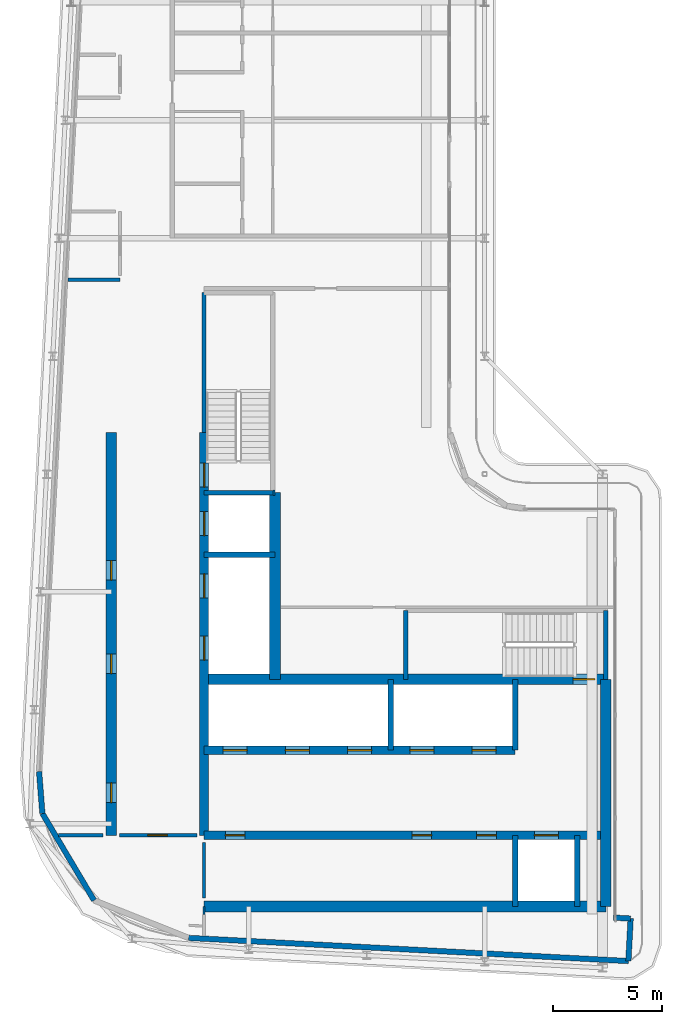
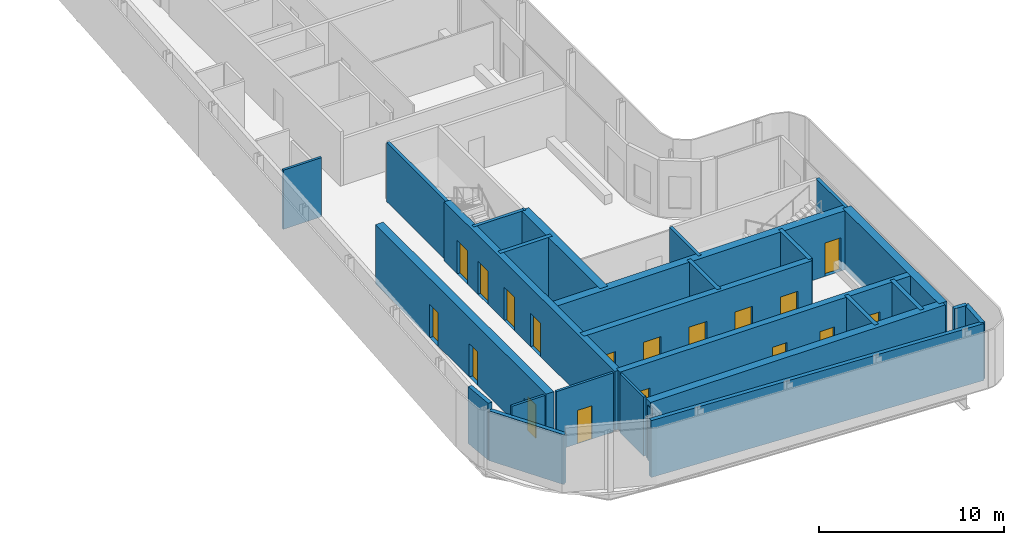
# One storey, part 9 of 19: 28 walls, 18 doors, 18 openings.
"""IFC4 building model written with IfcOpenShell, lengths in metres."""

from ifc_helpers import new_model, si_unit, direction, frame, frame_2d, origin, place, context, subcontext, project, spatial, rectangle, extrude, source, transform, mapped, material, layer, layer_set, type_object, element, fill, save


model = new_model("IFC4")

# Units and contexts
model_context = context("Model", 3, precision=1e-05, world=origin(), true_north=direction((0.0, 1.0)))
body_context = subcontext(model_context, "Body", "Model", "MODEL_VIEW")
ifc_project = project(units=[si_unit("LENGTHUNIT", "METRE"), si_unit("AREAUNIT", "SQUARE_METRE"), si_unit("VOLUMEUNIT", "CUBIC_METRE"), si_unit("PLANEANGLEUNIT", "RADIAN"), si_unit("MASSUNIT", "GRAM", prefix="KILO")], contexts=[model_context])

# Site, building, storey
site_placement = place(None, origin())
site = spatial("IfcSite", under=ifc_project, at=site_placement, CompositionType="ELEMENT")
building_placement = place(site_placement, origin())
building = spatial("IfcBuilding", under=site, at=building_placement, Name="Kheshtan School and Residences Tower", CompositionType="ELEMENT")
storey_placement = place(building_placement, frame((0.0, 0.0, 353.89990234375)))
storey = spatial("IfcBuildingStorey", under=building, at=storey_placement, Name="L83", CompositionType="ELEMENT", Elevation=353.89990234375)

# Wall, openings, doors
ifc_material_1 = material(Name="Concrete C50/60", Category="concrete")
ifc_layer_1 = layer(ifc_material_1, 0.39990234375)
ifc_layer_set_1 = layer_set([ifc_layer_1], Name="Core wall 400 Concrete C50/60")
wall_type_1 = type_object("IfcWallType", Name="Core wall 400 Concrete C50/60", PredefinedType="SHEAR", material=ifc_layer_set_1)
wall_1_placement = place(storey_placement, frame((34.75, 29.050048828125, 0.0), z_axis=(0.0, 0.0, 1.0), x_axis=(1.0, 0.0, 0.0)))
wall_1 = element("IfcWall", 1, at=wall_1_placement, inside=storey, type_object=wall_type_1, Name="Core wall CW-HALL-S1", PredefinedType="SHEAR", context=body_context, shape_type="SweptSolid", body=[
    extrude(rectangle(XDim=18.39990234375, YDim=0.39990234375, at=frame_2d((9.199951171875, 0.0))), origin(), (0.0, 0.0, 1.0), 3.900146484375),
])
opening_1_placement = place(wall_1_placement, frame((15.125, 0.0, 0.0)))
opening_1 = element("IfcOpeningElement", 2, at=opening_1_placement, cuts=wall_1, Name="Opening LD", PredefinedType="OPENING", context=body_context, shape_type="SweptSolid", body=[
    extrude(rectangle(XDim=1.10009765625, YDim=2.199951171875, at=frame_2d((0.550048828125, 1.10009765625))), frame((0.0, 0.2099609375, 0.0), z_axis=(0.0, -1.0, 0.0), x_axis=(1.0, 0.0, 0.0)), (0.0, 0.0, 1.0), 0.419921875),
])
opening_2_placement = place(wall_1_placement, frame((0.97509765625, 0.0, 0.0)))
opening_2 = element("IfcOpeningElement", 3, at=opening_2_placement, cuts=wall_1, Name="Opening SR90", PredefinedType="OPENING", context=body_context, shape_type="SweptSolid", body=[
    extrude(rectangle(XDim=0.89990234375, YDim=2.199951171875, at=frame_2d((0.449951171875, 1.10009765625))), frame((0.0, 0.2099609375, 0.0), z_axis=(0.0, -1.0, 0.0), x_axis=(1.0, 0.0, 0.0)), (0.0, 0.0, 1.0), 0.419921875),
])
opening_3_placement = place(wall_1_placement, frame((9.52490234375, 0.0, 0.0)))
opening_3 = element("IfcOpeningElement", 4, at=opening_3_placement, cuts=wall_1, Name="Opening SR90", PredefinedType="OPENING", context=body_context, shape_type="SweptSolid", body=[
    extrude(rectangle(XDim=0.89990234375, YDim=2.199951171875, at=frame_2d((0.449951171875, 1.10009765625))), frame((0.0, 0.2099609375, 0.0), z_axis=(0.0, -1.0, 0.0), x_axis=(1.0, 0.0, 0.0)), (0.0, 0.0, 1.0), 0.419921875),
])
opening_4_placement = place(wall_1_placement, frame((12.488037109375, 0.0, 0.0)))
opening_4 = element("IfcOpeningElement", 5, at=opening_4_placement, cuts=wall_1, Name="Opening SR90", PredefinedType="OPENING", context=body_context, shape_type="SweptSolid", body=[
    extrude(rectangle(XDim=0.89990234375, YDim=2.199951171875, at=frame_2d((0.449951171875, 1.10009765625))), frame((0.0, 0.2099609375, 0.0), z_axis=(0.0, -1.0, 0.0), x_axis=(1.0, 0.0, 0.0)), (0.0, 0.0, 1.0), 0.419921875),
])
ifc_material_2 = material(Name="Stainless steel door leaves", Category="steel")
door_type_1 = type_object("IfcDoorType", Name="Lift landing door 1100", OperationType="SLIDING_TO_LEFT", PredefinedType="DOOR", material=ifc_material_2)
shared_shape_1 = source(origin(), body_context, "Body", "SweptSolid", [
    extrude(rectangle(XDim=1.10009765625, YDim=2.199951171875, at=frame_2d((0.550048828125, 1.10009765625))), frame((0.0, 0.02490234375, 0.0), z_axis=(0.0, -1.0, 0.0), x_axis=(1.0, 0.0, 0.0)), (0.0, 0.0, 1.0), 0.050048828125),
])
door_1_placement = place(opening_1_placement, origin())
door_1 = element("IfcDoor", 6, at=door_1_placement, inside=storey, type_object=door_type_1, Name="Lift FFL2 landing door", OperationType="SLIDING_TO_LEFT", OverallHeight=2.199951171875, OverallWidth=1.10009765625, PredefinedType="DOOR", context=body_context, shape_type="MappedRepresentation", body=[
    mapped(shared_shape_1, transform((0.0, 0.0, 0.0), x_axis=(1.0, 0.0, 0.0), y_axis=(0.0, 1.0, 0.0), z_axis=(0.0, 0.0, 1.0), scale=1.0)),
])
fill(opening_1, door_1)
ifc_material_3 = material(Name="Steel door leaf, galvanised", Category="steel")
door_type_2 = type_object("IfcDoorType", Name="Service room door 900 steel 90 min", OperationType="SINGLE_SWING_LEFT", PredefinedType="DOOR", material=ifc_material_3)
shared_shape_2 = source(origin(), body_context, "Body", "SweptSolid", [
    extrude(rectangle(XDim=0.89990234375, YDim=2.199951171875, at=frame_2d((0.449951171875, 1.10009765625))), frame((0.0, 0.02490234375, 0.0), z_axis=(0.0, -1.0, 0.0), x_axis=(1.0, 0.0, 0.0)), (0.0, 0.0, 1.0), 0.050048828125),
])
door_2_placement = place(opening_2_placement, origin())
door_2 = element("IfcDoor", 7, at=door_2_placement, inside=storey, type_object=door_type_2, Name="Service room door", OperationType="SINGLE_SWING_LEFT", OverallHeight=2.199951171875, OverallWidth=0.89990234375, PredefinedType="DOOR", context=body_context, shape_type="MappedRepresentation", body=[
    mapped(shared_shape_2, transform((0.0, 0.0, 0.0), x_axis=(1.0, 0.0, 0.0), y_axis=(0.0, 1.0, 0.0), z_axis=(0.0, 0.0, 1.0), scale=1.0)),
])
fill(opening_2, door_2)
door_3_placement = place(opening_3_placement, origin())
door_3 = element("IfcDoor", 8, at=door_3_placement, inside=storey, type_object=door_type_2, Name="Service room door", OperationType="SINGLE_SWING_RIGHT", OverallHeight=2.199951171875, OverallWidth=0.89990234375, PredefinedType="DOOR", context=body_context, shape_type="MappedRepresentation", body=[
    mapped(shared_shape_2, transform((0.0, 0.0, 0.0), x_axis=(1.0, 0.0, 0.0), y_axis=(0.0, 1.0, 0.0), z_axis=(0.0, 0.0, 1.0), scale=1.0)),
])
fill(opening_3, door_3)
door_4_placement = place(opening_4_placement, origin())
door_4 = element("IfcDoor", 9, at=door_4_placement, inside=storey, type_object=door_type_2, Name="Service room door", OperationType="SINGLE_SWING_LEFT", OverallHeight=2.199951171875, OverallWidth=0.89990234375, PredefinedType="DOOR", context=body_context, shape_type="MappedRepresentation", body=[
    mapped(shared_shape_2, transform((0.0, 0.0, 0.0), x_axis=(1.0, 0.0, 0.0), y_axis=(0.0, 1.0, 0.0), z_axis=(0.0, 0.0, 1.0), scale=1.0)),
])
fill(opening_4, door_4)

wall_2_placement = place(storey_placement, frame((34.75, 32.949951171875, 0.0), z_axis=(0.0, 0.0, 1.0), x_axis=(1.0, 0.0, 0.0)))
wall_2 = element("IfcWall", 10, at=wall_2_placement, inside=storey, type_object=wall_type_1, Name="Core wall CW-HALL-S2", PredefinedType="SHEAR", context=body_context, shape_type="SweptSolid", body=[
    extrude(rectangle(XDim=14.25, YDim=0.39990234375, at=frame_2d((7.125, 0.0))), origin(), (0.0, 0.0, 1.0), 3.900146484375),
])
opening_5_placement = place(wall_2_placement, frame((0.875, 0.0, 0.0)))
opening_5 = element("IfcOpeningElement", 11, at=opening_5_placement, cuts=wall_2, Name="Opening LD", PredefinedType="OPENING", context=body_context, shape_type="SweptSolid", body=[
    extrude(rectangle(XDim=1.10009765625, YDim=2.199951171875, at=frame_2d((0.550048828125, 1.10009765625))), frame((0.0, 0.2099609375, 0.0), z_axis=(0.0, -1.0, 0.0), x_axis=(1.0, 0.0, 0.0)), (0.0, 0.0, 1.0), 0.419921875),
])
opening_6_placement = place(wall_2_placement, frame((3.72509765625, 0.0, 0.0)))
opening_6 = element("IfcOpeningElement", 12, at=opening_6_placement, cuts=wall_2, Name="Opening LD", PredefinedType="OPENING", context=body_context, shape_type="SweptSolid", body=[
    extrude(rectangle(XDim=1.10009765625, YDim=2.199951171875, at=frame_2d((0.550048828125, 1.10009765625))), frame((0.0, 0.2099609375, 0.0), z_axis=(0.0, -1.0, 0.0), x_axis=(1.0, 0.0, 0.0)), (0.0, 0.0, 1.0), 0.419921875),
])
opening_7_placement = place(wall_2_placement, frame((6.574951171875, 0.0, 0.0)))
opening_7 = element("IfcOpeningElement", 13, at=opening_7_placement, cuts=wall_2, Name="Opening LD", PredefinedType="OPENING", context=body_context, shape_type="SweptSolid", body=[
    extrude(rectangle(XDim=1.10009765625, YDim=2.199951171875, at=frame_2d((0.550048828125, 1.10009765625))), frame((0.0, 0.2099609375, 0.0), z_axis=(0.0, -1.0, 0.0), x_axis=(1.0, 0.0, 0.0)), (0.0, 0.0, 1.0), 0.419921875),
])
opening_8_placement = place(wall_2_placement, frame((9.425048828125, 0.0, 0.0)))
opening_8 = element("IfcOpeningElement", 14, at=opening_8_placement, cuts=wall_2, Name="Opening LD", PredefinedType="OPENING", context=body_context, shape_type="SweptSolid", body=[
    extrude(rectangle(XDim=1.10009765625, YDim=2.199951171875, at=frame_2d((0.550048828125, 1.10009765625))), frame((0.0, 0.2099609375, 0.0), z_axis=(0.0, -1.0, 0.0), x_axis=(1.0, 0.0, 0.0)), (0.0, 0.0, 1.0), 0.419921875),
])
opening_9_placement = place(wall_2_placement, frame((12.27490234375, 0.0, 0.0)))
opening_9 = element("IfcOpeningElement", 15, at=opening_9_placement, cuts=wall_2, Name="Opening LD", PredefinedType="OPENING", context=body_context, shape_type="SweptSolid", body=[
    extrude(rectangle(XDim=1.10009765625, YDim=2.199951171875, at=frame_2d((0.550048828125, 1.10009765625))), frame((0.0, 0.2099609375, 0.0), z_axis=(0.0, -1.0, 0.0), x_axis=(1.0, 0.0, 0.0)), (0.0, 0.0, 1.0), 0.419921875),
])
door_5_placement = place(opening_5_placement, origin())
door_5 = element("IfcDoor", 16, at=door_5_placement, inside=storey, type_object=door_type_1, Name="Lift P12 landing door", OperationType="SLIDING_TO_LEFT", OverallHeight=2.199951171875, OverallWidth=1.10009765625, PredefinedType="DOOR", context=body_context, shape_type="MappedRepresentation", body=[
    mapped(shared_shape_1, transform((0.0, 0.0, 0.0), x_axis=(1.0, 0.0, 0.0), y_axis=(0.0, 1.0, 0.0), z_axis=(0.0, 0.0, 1.0), scale=1.0)),
])
fill(opening_5, door_5)
door_6_placement = place(opening_6_placement, origin())
door_6 = element("IfcDoor", 17, at=door_6_placement, inside=storey, type_object=door_type_1, Name="Lift P13 landing door", OperationType="SLIDING_TO_LEFT", OverallHeight=2.199951171875, OverallWidth=1.10009765625, PredefinedType="DOOR", context=body_context, shape_type="MappedRepresentation", body=[
    mapped(shared_shape_1, transform((0.0, 0.0, 0.0), x_axis=(1.0, 0.0, 0.0), y_axis=(0.0, 1.0, 0.0), z_axis=(0.0, 0.0, 1.0), scale=1.0)),
])
fill(opening_6, door_6)
door_7_placement = place(opening_7_placement, origin())
door_7 = element("IfcDoor", 18, at=door_7_placement, inside=storey, type_object=door_type_1, Name="Lift P14 landing door", OperationType="SLIDING_TO_LEFT", OverallHeight=2.199951171875, OverallWidth=1.10009765625, PredefinedType="DOOR", context=body_context, shape_type="MappedRepresentation", body=[
    mapped(shared_shape_1, transform((0.0, 0.0, 0.0), x_axis=(1.0, 0.0, 0.0), y_axis=(0.0, 1.0, 0.0), z_axis=(0.0, 0.0, 1.0), scale=1.0)),
])
fill(opening_7, door_7)
door_8_placement = place(opening_8_placement, origin())
door_8 = element("IfcDoor", 19, at=door_8_placement, inside=storey, type_object=door_type_1, Name="Lift P15 landing door", OperationType="SLIDING_TO_LEFT", OverallHeight=2.199951171875, OverallWidth=1.10009765625, PredefinedType="DOOR", context=body_context, shape_type="MappedRepresentation", body=[
    mapped(shared_shape_1, transform((0.0, 0.0, 0.0), x_axis=(1.0, 0.0, 0.0), y_axis=(0.0, 1.0, 0.0), z_axis=(0.0, 0.0, 1.0), scale=1.0)),
])
fill(opening_8, door_8)
door_9_placement = place(opening_9_placement, origin())
door_9 = element("IfcDoor", 20, at=door_9_placement, inside=storey, type_object=door_type_1, Name="Lift P16 landing door", OperationType="SLIDING_TO_LEFT", OverallHeight=2.199951171875, OverallWidth=1.10009765625, PredefinedType="DOOR", context=body_context, shape_type="MappedRepresentation", body=[
    mapped(shared_shape_1, transform((0.0, 0.0, 0.0), x_axis=(1.0, 0.0, 0.0), y_axis=(0.0, 1.0, 0.0), z_axis=(0.0, 0.0, 1.0), scale=1.0)),
])
fill(opening_9, door_9)

wall_3_placement = place(storey_placement, frame((34.75, 29.050048828125, 0.0), z_axis=(0.0, 0.0, 1.0), x_axis=(0.0, 1.0, 0.0)))
wall_3 = element("IfcWall", 21, at=wall_3_placement, inside=storey, type_object=wall_type_1, Name="Core wall CW-HALL-W1", PredefinedType="SHEAR", context=body_context, shape_type="SweptSolid", body=[
    extrude(rectangle(XDim=18.449951171875, YDim=0.39990234375, at=frame_2d((9.22509765625, 0.0))), origin(), (0.0, 0.0, 1.0), 3.900146484375),
])
opening_10_placement = place(wall_3_placement, frame((8.02490234375, 0.0, 0.0)))
opening_10 = element("IfcOpeningElement", 22, at=opening_10_placement, cuts=wall_3, Name="Opening LD", PredefinedType="OPENING", context=body_context, shape_type="SweptSolid", body=[
    extrude(rectangle(XDim=1.10009765625, YDim=2.199951171875, at=frame_2d((0.550048828125, 1.10009765625))), frame((0.0, 0.2099609375, 0.0), z_axis=(0.0, -1.0, 0.0), x_axis=(1.0, 0.0, 0.0)), (0.0, 0.0, 1.0), 0.419921875),
])
opening_11_placement = place(wall_3_placement, frame((10.875, 0.0, 0.0)))
opening_11 = element("IfcOpeningElement", 23, at=opening_11_placement, cuts=wall_3, Name="Opening LD", PredefinedType="OPENING", context=body_context, shape_type="SweptSolid", body=[
    extrude(rectangle(XDim=1.10009765625, YDim=2.199951171875, at=frame_2d((0.550048828125, 1.10009765625))), frame((0.0, 0.2099609375, 0.0), z_axis=(0.0, -1.0, 0.0), x_axis=(1.0, 0.0, 0.0)), (0.0, 0.0, 1.0), 0.419921875),
])
opening_12_placement = place(wall_3_placement, frame((13.72509765625, 0.0, 0.0)))
opening_12 = element("IfcOpeningElement", 24, at=opening_12_placement, cuts=wall_3, Name="Opening LD", PredefinedType="OPENING", context=body_context, shape_type="SweptSolid", body=[
    extrude(rectangle(XDim=1.10009765625, YDim=2.199951171875, at=frame_2d((0.550048828125, 1.10009765625))), frame((0.0, 0.2099609375, 0.0), z_axis=(0.0, -1.0, 0.0), x_axis=(1.0, 0.0, 0.0)), (0.0, 0.0, 1.0), 0.419921875),
])
opening_13_placement = place(wall_3_placement, frame((15.949951171875, 0.0, 0.0)))
opening_13 = element("IfcOpeningElement", 25, at=opening_13_placement, cuts=wall_3, Name="Opening ST2D", PredefinedType="OPENING", context=body_context, shape_type="SweptSolid", body=[
    extrude(rectangle(XDim=1.10009765625, YDim=2.199951171875, at=frame_2d((0.550048828125, 1.10009765625))), frame((0.0, 0.2099609375, 0.0), z_axis=(0.0, -1.0, 0.0), x_axis=(1.0, 0.0, 0.0)), (0.0, 0.0, 1.0), 0.419921875),
])
door_10_placement = place(opening_10_placement, origin())
door_10 = element("IfcDoor", 26, at=door_10_placement, inside=storey, type_object=door_type_1, Name="Lift SV1 landing door", OperationType="SLIDING_TO_LEFT", OverallHeight=2.199951171875, OverallWidth=1.10009765625, PredefinedType="DOOR", context=body_context, shape_type="MappedRepresentation", body=[
    mapped(shared_shape_1, transform((0.0, 0.0, 0.0), x_axis=(1.0, 0.0, 0.0), y_axis=(0.0, 1.0, 0.0), z_axis=(0.0, 0.0, 1.0), scale=1.0)),
])
fill(opening_10, door_10)
door_11_placement = place(opening_11_placement, origin())
door_11 = element("IfcDoor", 27, at=door_11_placement, inside=storey, type_object=door_type_1, Name="Lift SV2 landing door", OperationType="SLIDING_TO_LEFT", OverallHeight=2.199951171875, OverallWidth=1.10009765625, PredefinedType="DOOR", context=body_context, shape_type="MappedRepresentation", body=[
    mapped(shared_shape_1, transform((0.0, 0.0, 0.0), x_axis=(1.0, 0.0, 0.0), y_axis=(0.0, 1.0, 0.0), z_axis=(0.0, 0.0, 1.0), scale=1.0)),
])
fill(opening_11, door_11)
door_12_placement = place(opening_12_placement, origin())
door_12 = element("IfcDoor", 28, at=door_12_placement, inside=storey, type_object=door_type_1, Name="Lift FFL1 landing door", OperationType="SLIDING_TO_LEFT", OverallHeight=2.199951171875, OverallWidth=1.10009765625, PredefinedType="DOOR", context=body_context, shape_type="MappedRepresentation", body=[
    mapped(shared_shape_1, transform((0.0, 0.0, 0.0), x_axis=(1.0, 0.0, 0.0), y_axis=(0.0, 1.0, 0.0), z_axis=(0.0, 0.0, 1.0), scale=1.0)),
])
fill(opening_12, door_12)
door_type_3 = type_object("IfcDoorType", Name="Stair door 1100 steel 90 min", OperationType="SINGLE_SWING_LEFT", PredefinedType="DOOR", material=ifc_material_3)
shared_shape_3 = source(origin(), body_context, "Body", "SweptSolid", [
    extrude(rectangle(XDim=1.10009765625, YDim=2.199951171875, at=frame_2d((0.550048828125, 1.10009765625))), frame((0.0, 0.02490234375, 0.0), z_axis=(0.0, -1.0, 0.0), x_axis=(1.0, 0.0, 0.0)), (0.0, 0.0, 1.0), 0.050048828125),
])
door_13_placement = place(opening_13_placement, origin())
door_13 = element("IfcDoor", 29, at=door_13_placement, inside=storey, type_object=door_type_3, Name="Stair ST2 door", OperationType="SINGLE_SWING_RIGHT", OverallHeight=2.199951171875, OverallWidth=1.10009765625, PredefinedType="DOOR", context=body_context, shape_type="MappedRepresentation", body=[
    mapped(shared_shape_3, transform((0.0, 0.0, 0.0), x_axis=(1.0, 0.0, 0.0), y_axis=(0.0, 1.0, 0.0), z_axis=(0.0, 0.0, 1.0), scale=1.0)),
])
fill(opening_13, door_13)

# Wall
ifc_layer_2 = layer(ifc_material_1, 0.5)
ifc_layer_set_2 = layer_set([ifc_layer_2], Name="Core wall 500 Concrete C50/60")
wall_type_2 = type_object("IfcWallType", Name="Core wall 500 Concrete C50/60", PredefinedType="SHEAR", material=ifc_layer_set_2)
wall_4_placement = place(storey_placement, frame((34.75, 25.800048828125, 0.0), z_axis=(0.0, 0.0, 1.0), x_axis=(1.0, 0.0, 0.0)))
element("IfcWall", 30, at=wall_4_placement, inside=storey, type_object=wall_type_2, Name="Core wall CW-REAR-S", PredefinedType="SHEAR", context=body_context, shape_type="SweptSolid", body=[
    extrude(rectangle(XDim=18.39990234375, YDim=0.5, at=frame_2d((9.199951171875, 0.0))), origin(), (0.0, 0.0, 1.0), 3.900146484375),
])

# Wall, opening, door
wall_5_placement = place(storey_placement, frame((34.75, 36.199951171875, 0.0), z_axis=(0.0, 0.0, 1.0), x_axis=(1.0, 0.0, 0.0)))
wall_5 = element("IfcWall", 31, at=wall_5_placement, inside=storey, type_object=wall_type_2, Name="Core wall CW-FRONT-S", PredefinedType="SHEAR", context=body_context, shape_type="SweptSolid", body=[
    extrude(rectangle(XDim=18.39990234375, YDim=0.5, at=frame_2d((9.199951171875, 0.0))), origin(), (0.0, 0.0, 1.0), 3.900146484375),
])
opening_14_placement = place(wall_5_placement, frame((16.89990234375, 0.0, 0.0)))
opening_14 = element("IfcOpeningElement", 32, at=opening_14_placement, cuts=wall_5, Name="Opening ST1D", PredefinedType="OPENING", context=body_context, shape_type="SweptSolid", body=[
    extrude(rectangle(XDim=1.0, YDim=2.199951171875, at=frame_2d((0.5, 1.10009765625))), frame((0.0, 0.260009765625, 0.0), z_axis=(0.0, -1.0, 0.0), x_axis=(1.0, 0.0, 0.0)), (0.0, 0.0, 1.0), 0.52001953125),
])
shared_shape_4 = source(origin(), body_context, "Body", "SweptSolid", [
    extrude(rectangle(XDim=1.0, YDim=2.199951171875, at=frame_2d((0.5, 1.10009765625))), frame((0.0, 0.02490234375, 0.0), z_axis=(0.0, -1.0, 0.0), x_axis=(1.0, 0.0, 0.0)), (0.0, 0.0, 1.0), 0.050048828125),
])
door_14_placement = place(opening_14_placement, origin())
door_14 = element("IfcDoor", 33, at=door_14_placement, inside=storey, type_object=door_type_3, Name="Stair ST1 door", OperationType="SINGLE_SWING_RIGHT", OverallHeight=2.199951171875, OverallWidth=1.0, PredefinedType="DOOR", context=body_context, shape_type="MappedRepresentation", body=[
    mapped(shared_shape_4, transform((0.0, 0.0, 0.0), x_axis=(1.0, 0.0, 0.0), y_axis=(0.0, 1.0, 0.0), z_axis=(0.0, 0.0, 1.0), scale=1.0)),
])
fill(opening_14, door_14)

# Wall
wall_6_placement = place(storey_placement, frame((38.0, 36.199951171875, 0.0), z_axis=(0.0, 0.0, 1.0), x_axis=(0.0, 1.0, 0.0)))
element("IfcWall", 34, at=wall_6_placement, inside=storey, type_object=wall_type_2, Name="Core wall CW-FRONT-W", PredefinedType="SHEAR", context=body_context, shape_type="SweptSolid", body=[
    extrude(rectangle(XDim=8.550048828125, YDim=0.5, at=frame_2d((4.27490234375, 0.0))), origin(), (0.0, 0.0, 1.0), 3.900146484375),
])

# Wall, openings, doors
wall_7_placement = place(storey_placement, frame((30.5, 29.050048828125, 0.0), z_axis=(0.0, 0.0, 1.0), x_axis=(0.0, 1.0, 0.0)))
wall_7 = element("IfcWall", 35, at=wall_7_placement, inside=storey, type_object=wall_type_2, Name="Core wall CW-REAR-W", PredefinedType="SHEAR", context=body_context, shape_type="SweptSolid", body=[
    extrude(rectangle(XDim=18.449951171875, YDim=0.5, at=frame_2d((9.22509765625, 0.0))), origin(), (0.0, 0.0, 1.0), 3.900146484375),
])
opening_15_placement = place(wall_7_placement, frame((1.5, 0.0, 0.0)))
opening_15 = element("IfcOpeningElement", 36, at=opening_15_placement, cuts=wall_7, Name="Opening SR90", PredefinedType="OPENING", context=body_context, shape_type="SweptSolid", body=[
    extrude(rectangle(XDim=0.89990234375, YDim=2.199951171875, at=frame_2d((0.449951171875, 1.10009765625))), frame((0.0, 0.260009765625, 0.0), z_axis=(0.0, -1.0, 0.0), x_axis=(1.0, 0.0, 0.0)), (0.0, 0.0, 1.0), 0.52001953125),
])
opening_16_placement = place(wall_7_placement, frame((7.406005859375, 0.0, 0.0)))
opening_16 = element("IfcOpeningElement", 37, at=opening_16_placement, cuts=wall_7, Name="Opening SR90", PredefinedType="OPENING", context=body_context, shape_type="SweptSolid", body=[
    extrude(rectangle(XDim=0.89990234375, YDim=2.199951171875, at=frame_2d((0.449951171875, 1.10009765625))), frame((0.0, 0.260009765625, 0.0), z_axis=(0.0, -1.0, 0.0), x_axis=(1.0, 0.0, 0.0)), (0.0, 0.0, 1.0), 0.52001953125),
])
opening_17_placement = place(wall_7_placement, frame((11.68798828125, 0.0, 0.0)))
opening_17 = element("IfcOpeningElement", 38, at=opening_17_placement, cuts=wall_7, Name="Opening SR90", PredefinedType="OPENING", context=body_context, shape_type="SweptSolid", body=[
    extrude(rectangle(XDim=0.89990234375, YDim=2.199951171875, at=frame_2d((0.449951171875, 1.10009765625))), frame((0.0, 0.260009765625, 0.0), z_axis=(0.0, -1.0, 0.0), x_axis=(1.0, 0.0, 0.0)), (0.0, 0.0, 1.0), 0.52001953125),
])
door_15_placement = place(opening_15_placement, origin())
door_15 = element("IfcDoor", 39, at=door_15_placement, inside=storey, type_object=door_type_2, Name="Service room door", OperationType="SINGLE_SWING_LEFT", OverallHeight=2.199951171875, OverallWidth=0.89990234375, PredefinedType="DOOR", context=body_context, shape_type="MappedRepresentation", body=[
    mapped(shared_shape_2, transform((0.0, 0.0, 0.0), x_axis=(1.0, 0.0, 0.0), y_axis=(0.0, 1.0, 0.0), z_axis=(0.0, 0.0, 1.0), scale=1.0)),
])
fill(opening_15, door_15)
door_16_placement = place(opening_16_placement, origin())
door_16 = element("IfcDoor", 40, at=door_16_placement, inside=storey, type_object=door_type_2, Name="Service room door", OperationType="SINGLE_SWING_RIGHT", OverallHeight=2.199951171875, OverallWidth=0.89990234375, PredefinedType="DOOR", context=body_context, shape_type="MappedRepresentation", body=[
    mapped(shared_shape_2, transform((0.0, 0.0, 0.0), x_axis=(1.0, 0.0, 0.0), y_axis=(0.0, 1.0, 0.0), z_axis=(0.0, 0.0, 1.0), scale=1.0)),
])
fill(opening_16, door_16)
door_17_placement = place(opening_17_placement, origin())
door_17 = element("IfcDoor", 41, at=door_17_placement, inside=storey, type_object=door_type_2, Name="Service room door", OperationType="SINGLE_SWING_LEFT", OverallHeight=2.199951171875, OverallWidth=0.89990234375, PredefinedType="DOOR", context=body_context, shape_type="MappedRepresentation", body=[
    mapped(shared_shape_2, transform((0.0, 0.0, 0.0), x_axis=(1.0, 0.0, 0.0), y_axis=(0.0, 1.0, 0.0), z_axis=(0.0, 0.0, 1.0), scale=1.0)),
])
fill(opening_17, door_17)

# Walls
wall_8_placement = place(storey_placement, frame((53.14990234375, 25.800048828125, 0.0), z_axis=(0.0, 0.0, 1.0), x_axis=(0.0, 1.0, 0.0)))
element("IfcWall", 42, at=wall_8_placement, inside=storey, type_object=wall_type_2, Name="Core wall CW-EAST", PredefinedType="SHEAR", context=body_context, shape_type="SweptSolid", body=[
    extrude(rectangle(XDim=10.39990234375, YDim=0.5, at=frame_2d((5.199951171875, 0.0))), origin(), (0.0, 0.0, 1.0), 3.900146484375),
])
ifc_material_4 = material(Name="Concrete C40/50 with ceramic cladding and mineral wool insulation", Category="concrete")
ifc_layer_3 = layer(ifc_material_4, 0.25)
ifc_layer_set_3 = layer_set([ifc_layer_3], Name="External wall 250 ceramic clad")
wall_type_3 = type_object("IfcWallType", Name="External wall 250 ceramic clad", PredefinedType="SOLIDWALL", material=ifc_layer_set_3)
wall_9_placement = place(storey_placement, frame((53.507080078125, 25.281005859375, 0.0), z_axis=(0.0, 0.0, 1.0), x_axis=(0.998561284263, -0.053622398031, 0.0)))
element("IfcWall", 43, at=wall_9_placement, inside=storey, type_object=wall_type_3, Name="External wall L83 10", PredefinedType="SOLIDWALL", context=body_context, shape_type="SweptSolid", body=[
    extrude(rectangle(XDim=0.783203125, YDim=0.25, at=frame_2d((0.3916015625, 0.0))), origin(), (0.0, 0.0, 1.0), 3.75),
])
wall_10_placement = place(storey_placement, frame((54.2890625, 25.239013671875, 0.0), z_axis=(0.0, 0.0, 1.0), x_axis=(-0.052841433274, -0.998602915542, 0.0)))
element("IfcWall", 44, at=wall_10_placement, inside=storey, type_object=wall_type_3, Name="External wall L83 11", PredefinedType="SOLIDWALL", context=body_context, shape_type="SweptSolid", body=[
    extrude(rectangle(XDim=1.94970703125, YDim=0.25, at=frame_2d((0.974853515625, 0.0))), origin(), (0.0, 0.0, 1.0), 3.75),
])
wall_11_placement = place(storey_placement, frame((54.18603515625, 23.2919921875, 0.0), z_axis=(0.0, 0.0, 1.0), x_axis=(-0.998616090491, 0.052591860707, 0.0)))
element("IfcWall", 45, at=wall_11_placement, inside=storey, type_object=wall_type_3, Name="External wall L83 12", PredefinedType="SOLIDWALL", context=body_context, shape_type="SweptSolid", body=[
    extrude(rectangle(XDim=20.1748046875, YDim=0.25, at=frame_2d((10.08740234375, 0.0))), origin(), (0.0, 0.0, 1.0), 3.75),
])
wall_12_placement = place(storey_placement, frame((29.7119140625, 26.072021484375, 0.0), z_axis=(0.0, 0.0, 1.0), x_axis=(-0.511028049012, 0.859564036662, 0.0)))
element("IfcWall", 46, at=wall_12_placement, inside=storey, type_object=wall_type_3, Name="External wall L83 14", PredefinedType="SOLIDWALL", context=body_context, shape_type="SweptSolid", body=[
    extrude(rectangle(XDim=4.633544921875, YDim=0.25, at=frame_2d((2.31689453125, 0.0))), origin(), (0.0, 0.0, 1.0), 3.293212890625),
])
wall_13_placement = place(storey_placement, frame((27.343994140625, 30.054931640625, 0.0), z_axis=(0.0, 0.0, 1.0), x_axis=(-0.077571675317, 0.99698677784, 0.0)))
element("IfcWall", 47, at=wall_13_placement, inside=storey, type_object=wall_type_3, Name="External wall L83 15", PredefinedType="SOLIDWALL", context=body_context, shape_type="SweptSolid", body=[
    extrude(rectangle(XDim=1.919921875, YDim=0.25, at=frame_2d((0.9599609375, 0.0))), origin(), (0.0, 0.0, 1.0), 3.75),
])
ifc_material_5 = material(Name="Gypsum board on steel studs", Category="steel")
ifc_layer_4 = layer(ifc_material_5, 0.10009765625)
ifc_layer_set_4 = layer_set([ifc_layer_4], Name="Gypsum partition 100")
wall_type_4 = type_object("IfcWallType", Name="Gypsum partition 100", PredefinedType="PARTITIONING", material=ifc_layer_set_4)
wall_14_placement = place(storey_placement, frame((34.75, 25.428955078125, 0.0), z_axis=(0.0, 0.0, 1.0), x_axis=(0.0, 1.0, 0.0)))
element("IfcWall", 48, at=wall_14_placement, inside=storey, type_object=wall_type_4, Name="Partition L83-017", PredefinedType="PARTITIONING", context=body_context, shape_type="SweptSolid", body=[
    extrude(rectangle(XDim=0.37109375, YDim=0.10009765625, at=frame_2d((0.185546875, 0.0))), origin(), (0.0, 0.0, 1.0), 3.60009765625),
])
ifc_material_6 = material(Name="Fire-board shaft wall system")
ifc_layer_5 = layer(ifc_material_6, 0.14990234375)
ifc_layer_set_5 = layer_set([ifc_layer_5], Name="Service room wall 150")
wall_type_5 = type_object("IfcWallType", Name="Service room wall 150", PredefinedType="PARTITIONING", material=ifc_layer_set_5)
wall_15_placement = place(storey_placement, frame((34.75, 26.169921875, 0.0), z_axis=(0.0, 0.0, 1.0), x_axis=(0.0, 1.0, 0.0)))
element("IfcWall", 49, at=wall_15_placement, inside=storey, type_object=wall_type_5, Name="Service room wall", PredefinedType="PARTITIONING", context=body_context, shape_type="SweptSolid", body=[
    extrude(rectangle(XDim=2.56005859375, YDim=0.14990234375, at=frame_2d((1.280029296875, 0.0))), origin(), (0.0, 0.0, 1.0), 3.900146484375),
])
wall_16_placement = place(storey_placement, frame((28.089111328125, 29.050048828125, 0.0), z_axis=(0.0, 0.0, 1.0), x_axis=(1.0, 0.0, 0.0)))
element("IfcWall", 50, at=wall_16_placement, inside=storey, type_object=wall_type_5, Name="Service room wall", PredefinedType="PARTITIONING", context=body_context, shape_type="SweptSolid", body=[
    extrude(rectangle(XDim=2.040771484375, YDim=0.14990234375, at=frame_2d((1.0205078125, 0.0))), origin(), (0.0, 0.0, 1.0), 3.900146484375),
])

# Wall, opening, door
wall_17_placement = place(storey_placement, frame((30.8701171875, 29.050048828125, 0.0), z_axis=(0.0, 0.0, 1.0), x_axis=(1.0, 0.0, 0.0)))
wall_17 = element("IfcWall", 51, at=wall_17_placement, inside=storey, type_object=wall_type_5, Name="Service room wall", PredefinedType="PARTITIONING", context=body_context, shape_type="SweptSolid", body=[
    extrude(rectangle(XDim=3.559814453125, YDim=0.14990234375, at=frame_2d((1.77978515625, 0.0))), origin(), (0.0, 0.0, 1.0), 3.900146484375),
])
opening_18_placement = place(wall_17_placement, frame((1.304931640625, 0.0, 0.0)))
opening_18 = element("IfcOpeningElement", 52, at=opening_18_placement, cuts=wall_17, Name="Opening SR90", PredefinedType="OPENING", context=body_context, shape_type="SweptSolid", body=[
    extrude(rectangle(XDim=0.89990234375, YDim=2.199951171875, at=frame_2d((0.449951171875, 1.10009765625))), frame((0.0, 0.0849609375, 0.0), z_axis=(0.0, -1.0, 0.0), x_axis=(1.0, 0.0, 0.0)), (0.0, 0.0, 1.0), 0.169921875),
])
door_18_placement = place(opening_18_placement, origin())
door_18 = element("IfcDoor", 53, at=door_18_placement, inside=storey, type_object=door_type_2, Name="Service room door", OperationType="SINGLE_SWING_RIGHT", OverallHeight=2.199951171875, OverallWidth=0.89990234375, PredefinedType="DOOR", context=body_context, shape_type="MappedRepresentation", body=[
    mapped(shared_shape_2, transform((0.0, 0.0, 0.0), x_axis=(1.0, 0.0, 0.0), y_axis=(0.0, 1.0, 0.0), z_axis=(0.0, 0.0, 1.0), scale=1.0)),
])
fill(opening_18, door_18)

# Walls
wall_18_placement = place(storey_placement, frame((28.508056640625, 54.5, 0.0), z_axis=(0.0, 0.0, 1.0), x_axis=(1.0, 0.0, 0.0)))
element("IfcWall", 54, at=wall_18_placement, inside=storey, type_object=wall_type_5, Name="Service room wall", PredefinedType="PARTITIONING", context=body_context, shape_type="SweptSolid", body=[
    extrude(rectangle(XDim=2.391845703125, YDim=0.14990234375, at=frame_2d((1.19580078125, 0.0))), origin(), (0.0, 0.0, 1.0), 3.900146484375),
])
ifc_layer_6 = layer(ifc_material_6, 0.25)
ifc_layer_set_6 = layer_set([ifc_layer_6], Name="Shaft lining wall 250")
wall_type_6 = type_object("IfcWallType", Name="Shaft lining wall 250", PredefinedType="PARTITIONING", material=ifc_layer_set_6)
for number, where, z_axis, x_axis, name in (
    (55, (43.300048828125, 32.949951171875, 0.0), (0.0, 0.0, 1.0), (0.0, 1.0, 0.0), "Shaft lining wall"),
    (56, (49.0, 25.800048828125, 0.0), (0.0, 0.0, 1.0), (0.0, 1.0, 0.0), "Shaft lining wall"),
    (57, (49.0, 32.949951171875, 0.0), (0.0, 0.0, 1.0), (0.0, 1.0, 0.0), "Shaft lining wall"),
    (58, (51.85009765625, 25.800048828125, 0.0), (0.0, 0.0, 1.0), (0.0, 1.0, 0.0), "Shaft lining wall"),
    (59, (34.75, 41.89990234375, 0.0), (0.0, 0.0, 1.0), (1.0, 0.0, 0.0), "Shaft lining wall"),
):
    element("IfcWall", number, at=place(storey_placement, frame(where, z_axis=z_axis, x_axis=x_axis)), inside=storey, type_object=wall_type_6, Name=name, PredefinedType="PARTITIONING", context=body_context, shape_type="SweptSolid", body=[
        extrude(rectangle(XDim=3.25, YDim=0.25, at=frame_2d((1.625, 0.0))), origin(), (0.0, 0.0, 1.0), 3.900146484375),
    ])
wall_19_placement = place(storey_placement, frame((37.89990234375, 44.75, 0.0), z_axis=(0.0, 0.0, 1.0), x_axis=(1.0, 0.0, 0.0)))
element("IfcWall", 60, at=wall_19_placement, inside=storey, type_object=wall_type_6, Name="Shaft lining wall", PredefinedType="PARTITIONING", context=body_context, shape_type="SweptSolid", body=[
    extrude(rectangle(XDim=0.10009765625, YDim=0.25, at=frame_2d((0.050048828125, 0.0))), origin(), (0.0, 0.0, 1.0), 3.900146484375),
])
ifc_material_7 = material(Name="Concrete C40/50", Category="concrete")
ifc_layer_7 = layer(ifc_material_7, 0.199951171875)
ifc_layer_set_7 = layer_set([ifc_layer_7], Name="Stair enclosure wall 200 Concrete C40/50")
wall_type_7 = type_object("IfcWallType", Name="Stair enclosure wall 200 Concrete C40/50", PredefinedType="SHEAR", material=ifc_layer_set_7)
for number, where, z_axis, x_axis, name in (
    (61, (43.989990234375, 36.199951171875, 0.0), (0.0, 0.0, 1.0), (0.0, 1.0, 0.0), "Stair enclosure wall ST1"),
    (62, (53.14990234375, 36.199951171875, 0.0), (0.0, 0.0, 1.0), (0.0, 1.0, 0.0), "Stair enclosure wall ST1"),
):
    element("IfcWall", number, at=place(storey_placement, frame(where, z_axis=z_axis, x_axis=x_axis)), inside=storey, type_object=wall_type_7, Name=name, PredefinedType="SHEAR", context=body_context, shape_type="SweptSolid", body=[
        extrude(rectangle(XDim=3.150146484375, YDim=0.199951171875, at=frame_2d((1.5751953125, 0.0))), origin(), (0.0, 0.0, 1.0), 3.900146484375),
    ])
wall_20_placement = place(storey_placement, frame((34.75, 44.75, 0.0), z_axis=(0.0, 0.0, 1.0), x_axis=(1.0, 0.0, 0.0)))
element("IfcWall", 63, at=wall_20_placement, inside=storey, type_object=wall_type_7, Name="Stair enclosure wall ST2", PredefinedType="SHEAR", context=body_context, shape_type="SweptSolid", body=[
    extrude(rectangle(XDim=3.14990234375, YDim=0.199951171875, at=frame_2d((1.574951171875, 0.0))), origin(), (0.0, 0.0, 1.0), 3.900146484375),
])
wall_21_placement = place(storey_placement, frame((34.75, 47.5, 0.0), z_axis=(0.0, 0.0, 1.0), x_axis=(0.0, 1.0, 0.0)))
element("IfcWall", 64, at=wall_21_placement, inside=storey, type_object=wall_type_7, Name="Stair enclosure wall ST2", PredefinedType="SHEAR", context=body_context, shape_type="SweptSolid", body=[
    extrude(rectangle(XDim=6.409912109375, YDim=0.199951171875, at=frame_2d((3.205078125, 0.0))), origin(), (0.0, 0.0, 1.0), 3.900146484375),
])

save(model, "model.ifc")
